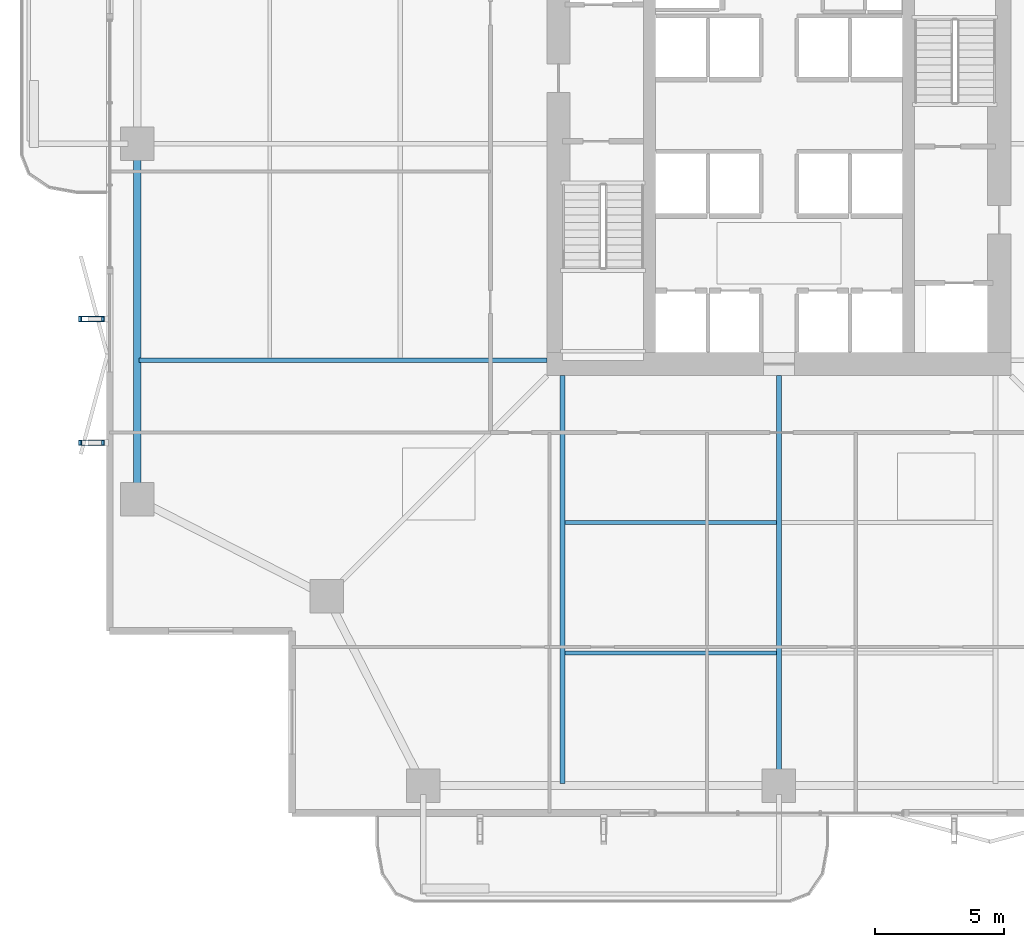
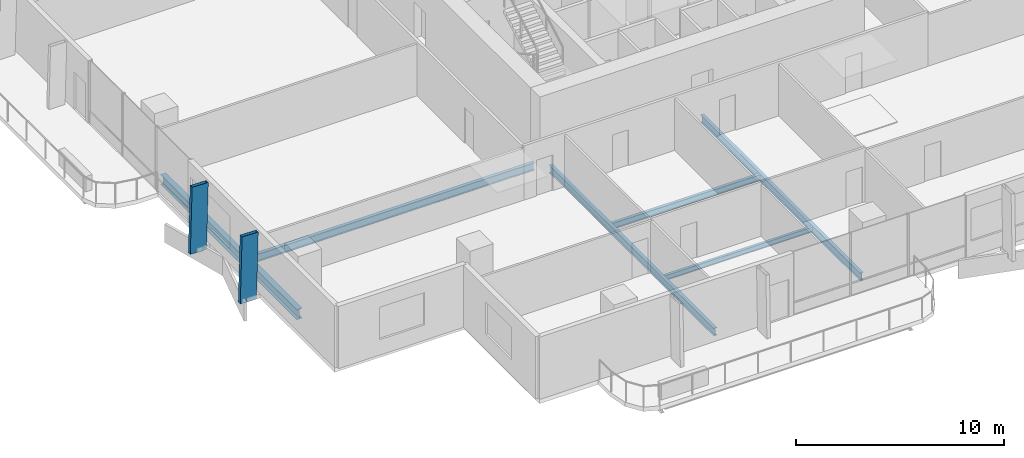
# One storey, part 3 of 23: 6 beams, 2 members.
"""IFC4 building model written with IfcOpenShell, lengths in metres."""

from ifc_helpers import new_model, si_unit, direction, frame, origin, origin_2d, place, context, subcontext, project, spatial, hollow_rectangle, i_section, extrude, material, material_profile, profile_set, type_object, element, save


model = new_model("IFC4")

# Units and contexts
model_context = context("Model", 3, precision=1e-05, world=origin(), true_north=direction((0.0, 1.0)))
body_context = subcontext(model_context, "Body", "Model", "MODEL_VIEW")
ifc_project = project(units=[si_unit("LENGTHUNIT", "METRE"), si_unit("AREAUNIT", "SQUARE_METRE"), si_unit("VOLUMEUNIT", "CUBIC_METRE"), si_unit("PLANEANGLEUNIT", "RADIAN"), si_unit("MASSUNIT", "GRAM", prefix="KILO")], contexts=[model_context])

# Site, building, storey
site_placement = place(None, origin())
site = spatial("IfcSite", under=ifc_project, at=site_placement, CompositionType="ELEMENT")
building_placement = place(site_placement, origin())
building = spatial("IfcBuilding", under=site, at=building_placement, Name="Belovzor Exchange Tower", CompositionType="ELEMENT")
storey_placement = place(building_placement, frame((0.0, 0.0, 125.10009765625)))
storey = spatial("IfcBuildingStorey", under=building, at=storey_placement, Name="L30", CompositionType="ELEMENT", Elevation=125.10009765625)

# Beams
ifc_material_1 = material(Name="Steel S355", Category="steel")
ifc_material_profile_1 = material_profile(ifc_material_1, i_section(OverallWidth=0.169921875, OverallDepth=0.360107421875, WebThickness=0.008056640625, FlangeThickness=0.0126953125, at=origin_2d()))
ifc_profile_set_1 = profile_set([ifc_material_profile_1], Name="Steel S355")
beam_type_1 = type_object("IfcBeamType", Name="Secondary Infill Floor Joist IPE 360", PredefinedType="BEAM", material=ifc_profile_set_1)
beam_1_placement = place(storey_placement, frame((20.4951171875, 14.10302734375, -0.43017578125), z_axis=(1.0, 0.0, 0.0), x_axis=(0.0, 1.0, 0.0)))
element("IfcBeam", 1, at=beam_1_placement, inside=storey, type_object=beam_type_1, Name="FJ-360 Secondary Infill Floor Joist IPE 360", PredefinedType="BEAM", context=body_context, shape_type="SweptSolid", body=[
    extrude(i_section(OverallWidth=0.169921875, OverallDepth=0.360107421875, WebThickness=0.008056640625, FlangeThickness=0.0126953125, at=origin_2d()), origin(), (0.0, 0.0, 1.0), 8.2099609375),
])
ifc_material_2 = material(Name="Steel S355", Category="steel")
ifc_material_profile_2 = material_profile(ifc_material_2, i_section(OverallWidth=0.14990234375, OverallDepth=0.300048828125, WebThickness=0.007080078125, FlangeThickness=0.0107421875, at=origin_2d()))
ifc_profile_set_2 = profile_set([ifc_material_profile_2], Name="Steel S355")
beam_type_2 = type_object("IfcBeamType", Name="Secondary Trim Floor Joist IPE 300", PredefinedType="BEAM", material=ifc_profile_set_2)
beam_2_placement = place(storey_placement, frame((20.4951171875, 9.0390625, -0.400146484375), z_axis=(1.0, 0.0, 0.0), x_axis=(0.0, 1.0, 0.0)))
element("IfcBeam", 2, at=beam_2_placement, inside=storey, type_object=beam_type_2, Name="FJ-300 Secondary Trim Floor Joist IPE 300", PredefinedType="BEAM", context=body_context, shape_type="SweptSolid", body=[
    extrude(i_section(OverallWidth=0.14990234375, OverallDepth=0.300048828125, WebThickness=0.007080078125, FlangeThickness=0.0107421875, at=origin_2d()), origin(), (0.0, 0.0, 1.0), 8.2099609375),
])

# Members
ifc_material_3 = material(Name="Extruded Architectural Terracotta on Steel S355 Carrier", Category="masonry")
ifc_material_profile_3 = material_profile(ifc_material_3, hollow_rectangle(XDim=0.199951171875, YDim=0.89990234375, WallThickness=0.011962890625, at=origin_2d()))
ifc_profile_set_3 = profile_set([ifc_material_profile_3], Name="Extruded Architectural Terracotta on Steel S355 Carrier")
member_type = type_object("IfcMemberType", Name="Sweeping Terracotta Baguette Fin Assembly 1250", PredefinedType="USERDEFINED", material=ifc_profile_set_3)
for number, where, z_axis, x_axis, name in (
    (3, (2.072021484375, 17.199951171875, -0.25), (0.026408715329, 0.0, 0.999651229057), (0.0, 1.0, 0.0), "FIN-TC125 Terracotta Facade Fin L30 W1"),
    (4, (2.072021484375, 22.0, -0.25), (0.026408715329, 0.0, 0.999651229057), (0.0, 1.0, 0.0), "FIN-TC125 Terracotta Facade Fin L30 W2"),
):
    element("IfcMember", number, at=place(storey_placement, frame(where, z_axis=z_axis, x_axis=x_axis)), inside=storey, type_object=member_type, Name=name, ObjectType="FIN", PredefinedType="USERDEFINED", context=body_context, shape_type="SweptSolid", body=[
        extrude(hollow_rectangle(XDim=0.199951171875, YDim=0.89990234375, WallThickness=0.011962890625, at=origin_2d()), origin(), (0.0, 0.0, 1.0), 3.9013671875),
    ])

# Beams
ifc_material_4 = material(Name="Steel S355", Category="steel")
ifc_material_profile_4 = material_profile(ifc_material_4, i_section(OverallWidth=0.300048828125, OverallDepth=0.60009765625, WebThickness=0.015380859375, FlangeThickness=0.030029296875, at=origin_2d()))
ifc_profile_set_4 = profile_set([ifc_material_profile_4], Name="Steel S355")
beam_type_3 = type_object("IfcBeamType", Name="Zone 2 Primary Perimeter Girder HEB 600", PredefinedType="BEAM", material=ifc_profile_set_4)
beam_3_placement = place(storey_placement, frame((3.89990234375, 28.44189453125, -0.550048828125), z_axis=(0.0, -1.0, 0.0), x_axis=(1.0, 0.0, 0.0)))
element("IfcBeam", 5, at=beam_3_placement, inside=storey, type_object=beam_type_3, Name="FG-Z2 Zone 2 Primary Perimeter Girder HEB 600", PredefinedType="BEAM", context=body_context, shape_type="SweptSolid", body=[
    extrude(i_section(OverallWidth=0.300048828125, OverallDepth=0.60009765625, WebThickness=0.015380859375, FlangeThickness=0.030029296875, at=origin_2d()), origin(), (0.0, 0.0, 1.0), 13.0849609375),
])
ifc_material_5 = material(Name="Steel S355", Category="steel")
ifc_material_profile_5 = material_profile(ifc_material_5, i_section(OverallWidth=0.18994140625, OverallDepth=0.449951171875, WebThickness=0.009521484375, FlangeThickness=0.0146484375, at=origin_2d()))
ifc_profile_set_5 = profile_set([ifc_material_profile_5], Name="Steel S355")
beam_type_4 = type_object("IfcBeamType", Name="Zone 2-4 Radial Composite Floor Beam IPE 450", PredefinedType="BEAM", material=ifc_profile_set_5)
beam_4_placement = place(storey_placement, frame((20.39990234375, 19.800048828125, -0.47509765625), z_axis=(0.0, -1.0, 0.0), x_axis=(1.0, 0.0, 0.0)))
element("IfcBeam", 6, at=beam_4_placement, inside=storey, type_object=beam_type_4, Name="FB-450 Zone 2-4 Radial Composite Floor Beam IPE 450", PredefinedType="BEAM", context=body_context, shape_type="SweptSolid", body=[
    extrude(i_section(OverallWidth=0.18994140625, OverallDepth=0.449951171875, WebThickness=0.009521484375, FlangeThickness=0.0146484375, at=origin_2d()), origin(), (0.0, 0.0, 1.0), 15.824951171875),
])
beam_5_placement = place(storey_placement, frame((28.800048828125, 19.800048828125, -0.47509765625), z_axis=(0.0, -1.0, 0.0), x_axis=(1.0, 0.0, 0.0)))
element("IfcBeam", 7, at=beam_5_placement, inside=storey, type_object=beam_type_4, Name="FB-450 Zone 2-4 Radial Composite Floor Beam IPE 450", PredefinedType="BEAM", context=body_context, shape_type="SweptSolid", body=[
    extrude(i_section(OverallWidth=0.18994140625, OverallDepth=0.449951171875, WebThickness=0.009521484375, FlangeThickness=0.0146484375, at=origin_2d()), origin(), (0.0, 0.0, 1.0), 15.328125),
])
beam_6_placement = place(storey_placement, frame((19.800048828125, 20.39990234375, -0.47509765625), z_axis=(-1.0, 0.0, 0.0), x_axis=(0.0, -1.0, 0.0)))
element("IfcBeam", 8, at=beam_6_placement, inside=storey, type_object=beam_type_4, Name="FB-450 Zone 2-4 Radial Composite Floor Beam IPE 450", PredefinedType="BEAM", context=body_context, shape_type="SweptSolid", body=[
    extrude(i_section(OverallWidth=0.18994140625, OverallDepth=0.449951171875, WebThickness=0.009521484375, FlangeThickness=0.0146484375, at=origin_2d()), origin(), (0.0, 0.0, 1.0), 15.824951171875),
])

save(model, "model.ifc")
